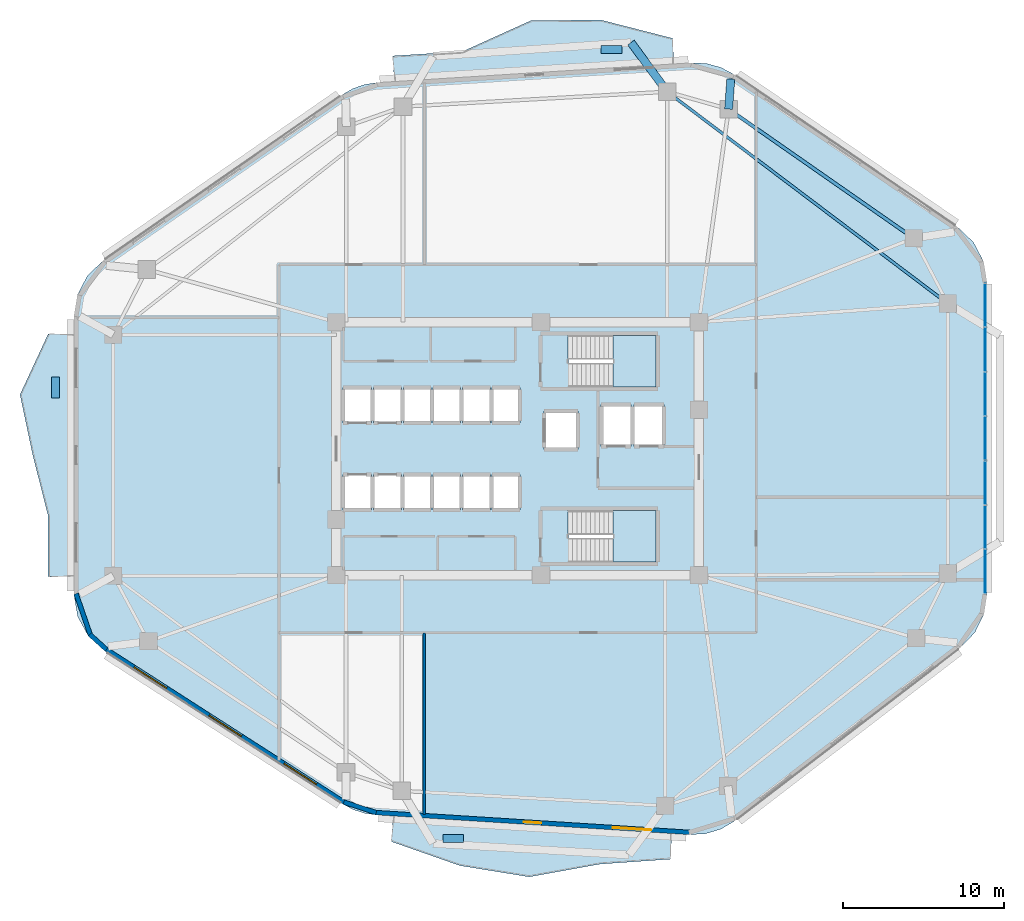
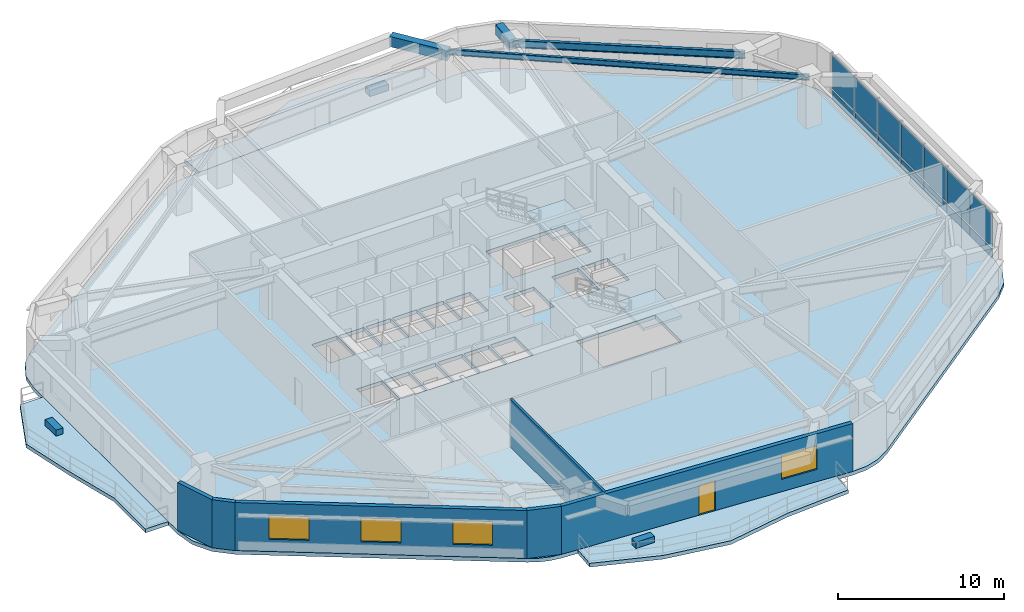
# One storey, part 7 of 13: 17 plates, 6 slabs, 6 walls, 4 beams, 4 windows, 1 door, 5 openings, 3 elements without a shape of their own.
"""IFC4 building model written with IfcOpenShell, lengths in metres."""

import ifcopenshell
import ifcopenshell.guid

model = None  # the IFC model being written
_history = None  # IfcOwnerHistory: only IFC2X3 demands one
_inside = {}  # id of a spatial element -> (the spatial element, [elements in it])
_under = {}  # id of a project, library or spatial element -> (it, [spatial elements below it])
_declared = {}  # id of a project -> (the project, [libraries it declares])
_typed = {}  # id of a type object -> (the type object, [elements of that type])
_made_of = {}  # id of a material, layer set ... -> (it, [elements and type objects made of it])


def new_model(schema):
    """Start an empty IFC model of exactly this schema.

    Asked for "IFC4X3", IfcOpenShell would pick the latest addendum, in which some entities
    have other attributes; the version numbers below select the first issue.
    IFC2X3 requires an IfcOwnerHistory on every rooted entity: one is made here for all.
    """
    global model, _history
    if schema == "IFC4X3":
        model = ifcopenshell.file(schema_version=(4, 3, 0, 0))
    else:
        model = ifcopenshell.file(schema=schema)
    _inside.clear()
    _under.clear()
    _declared.clear()
    _typed.clear()
    _made_of.clear()
    _history = None
    if model.schema == "IFC2X3":
        org = make("IfcOrganization", Name="unknown")
        user = make(
            "IfcPersonAndOrganization",
            ThePerson=make("IfcPerson", FamilyName="unknown"),
            TheOrganization=org,
        )
        app = make(
            "IfcApplication",
            ApplicationDeveloper=org,
            Version="unknown",
            ApplicationFullName="unknown",
            ApplicationIdentifier="unknown",
        )
        _history = make(
            "IfcOwnerHistory",
            OwningUser=user,
            OwningApplication=app,
            ChangeAction="ADDED",
            CreationDate=0,
        )
    return model


def make(cls, **values):
    """One entity of the class cls with the attributes given. An attribute that is None is left unset."""
    return model.create_entity(
        cls, **{name: value for name, value in values.items() if value is not None}
    )


def rooted(cls, **values):
    """An entity with a GlobalId (a new one), such as an element, a storey or a relation."""
    return make(cls, GlobalId=ifcopenshell.guid.new(), OwnerHistory=_history, **values)


def si_unit(unit_type, name, prefix=None):
    """IfcSIUnit, for example si_unit("LENGTHUNIT", "METRE", prefix="MILLI")."""
    return make("IfcSIUnit", UnitType=unit_type, Prefix=prefix, Name=name)


def assignment(units):
    """IfcUnitAssignment: the units of a project."""
    return None if units is None else make("IfcUnitAssignment", Units=units)


def point(xyz):
    """IfcCartesianPoint."""
    return None if xyz is None else make("IfcCartesianPoint", Coordinates=xyz)


def direction(xyz):
    """IfcDirection."""
    return None if xyz is None else make("IfcDirection", DirectionRatios=xyz)


def frame(location, z_axis=None, x_axis=None):
    """IfcAxis2Placement3D, a coordinate frame: its origin and axes. An axis left out is left unset."""
    return make(
        "IfcAxis2Placement3D",
        Location=point(location),
        Axis=direction(z_axis),
        RefDirection=direction(x_axis),
    )


def frame_2d(location, x_axis=None):
    """IfcAxis2Placement2D, a coordinate frame in the plane: its origin and x axis."""
    return make(
        "IfcAxis2Placement2D", Location=point(location), RefDirection=direction(x_axis)
    )


def origin():
    """The frame at (0, 0, 0) with its axes left unset."""
    return frame((0.0, 0.0, 0.0))


def origin_2d():
    """The frame at (0, 0) in the plane with its x axis left unset."""
    return frame_2d((0.0, 0.0))


def place(relative_to, where):
    """IfcLocalPlacement: puts the frame where relative to a parent placement (None: the world)."""
    return make(
        "IfcLocalPlacement", PlacementRelTo=relative_to, RelativePlacement=where
    )


def context(
    kind, dimensions, precision=None, world=None, true_north=None, identifier=None
):
    """IfcGeometricRepresentationContext, for example the 3D "Model" context."""
    return make(
        "IfcGeometricRepresentationContext",
        ContextIdentifier=identifier,
        ContextType=kind,
        CoordinateSpaceDimension=dimensions,
        Precision=precision,
        WorldCoordinateSystem=world,
        TrueNorth=true_north,
    )


def subcontext(parent, identifier, kind, view, scale=None):
    """IfcGeometricRepresentationSubContext, for example "Body" below "Model"."""
    return make(
        "IfcGeometricRepresentationSubContext",
        ContextIdentifier=identifier,
        ContextType=kind,
        ParentContext=parent,
        TargetScale=scale,
        TargetView=view,
    )


def project(units=None, contexts=None):
    """IfcProject with its units and contexts."""
    return rooted(
        "IfcProject",
        Name="project",
        RepresentationContexts=contexts,
        UnitsInContext=assignment(units),
    )


def spatial(cls, under=None, at=None, **own):
    """A site, building, storey or space (cls), placed at a placement, below another one or the project."""
    s = rooted(cls, ObjectPlacement=at, **own)
    if under is not None:
        _under.setdefault(under.id(), (under, []))[1].append(s)
    return s


def polyline(points):
    """IfcPolyline through the points."""
    return make("IfcPolyline", Points=[point(p) for p in points])


def profile(cls, at=None, kind="AREA", **sizes):
    """A parametric profile (cls). Its sizes go by their IFC names, for example OverallWidth=200.0."""
    return make(cls, ProfileType=kind, Position=at, **sizes)


def rectangle(**sizes):
    """IfcRectangleProfileDef."""
    return profile("IfcRectangleProfileDef", **sizes)


def i_section(**sizes):
    """IfcIShapeProfileDef."""
    return profile("IfcIShapeProfileDef", **sizes)


def outline(outer, holes=None, kind="AREA"):
    """IfcArbitraryClosedProfileDef: a profile drawn as a closed curve; with holes, ...WithVoids."""
    if holes is None:
        return make("IfcArbitraryClosedProfileDef", ProfileType=kind, OuterCurve=outer)
    return make(
        "IfcArbitraryProfileDefWithVoids",
        ProfileType=kind,
        OuterCurve=outer,
        InnerCurves=holes,
    )


def extrude(swept, where, along, depth):
    """IfcExtrudedAreaSolid: the profile swept, set in the frame where, extruded along a direction by depth."""
    return make(
        "IfcExtrudedAreaSolid",
        SweptArea=swept,
        Position=where,
        ExtrudedDirection=direction(along),
        Depth=depth,
    )


def shape(context_of_items, identifier, shape_type, items):
    """IfcShapeRepresentation: the items that make up one representation, for example the "Body"."""
    return make(
        "IfcShapeRepresentation",
        ContextOfItems=context_of_items,
        RepresentationIdentifier=identifier,
        RepresentationType=shape_type,
        Items=items,
    )


def material(Name=None, Category=None):
    """IfcMaterial."""
    return make("IfcMaterial", Name=Name, Category=Category)


def layer(
    of_material, thickness, ventilated=None, Name=None, Category=None, Priority=None
):
    """IfcMaterialLayer: one layer of a wall or slab, of a material (None: an air gap)."""
    return make(
        "IfcMaterialLayer",
        Material=of_material,
        LayerThickness=thickness,
        IsVentilated=ventilated,
        Name=Name,
        Category=Category,
        Priority=Priority,
    )


def layer_set(layers, Name=None):
    """IfcMaterialLayerSet."""
    return make("IfcMaterialLayerSet", MaterialLayers=layers, LayerSetName=Name)


def material_profile(
    of_material, cross_section, Name=None, Category=None, Priority=None
):
    """IfcMaterialProfile: a cross section and its material."""
    return make(
        "IfcMaterialProfile",
        Name=Name,
        Material=of_material,
        Profile=cross_section,
        Priority=Priority,
        Category=Category,
    )


def profile_set(profiles, Name=None, composite=None):
    """IfcMaterialProfileSet."""
    return make(
        "IfcMaterialProfileSet",
        Name=Name,
        MaterialProfiles=profiles,
        CompositeProfile=composite,
    )


def made_of(thing, what):
    """Note that an element or type object is made of a material, layer set ...; save() writes the relation."""
    if what is not None:
        _made_of.setdefault(what.id(), (what, []))[1].append(thing)
    return thing


def type_object(cls, material=None, **own):
    """A type object (cls), such as IfcWallType, which elements share."""
    return made_of(rooted(cls, **own), material)


def element(
    cls,
    number,
    at=None,
    inside=None,
    cuts=None,
    type_object=None,
    material=None,
    context=None,
    identifier="Body",
    shape_type=None,
    held_by="IfcProductDefinitionShape",
    body=None,
    shapes=None,
    **own,
):
    """One element of the class cls, such as IfcWall. Its Tag is "e" and its number.

    at: its placement. inside: the storey or other place that contains it. cuts: it is an
    opening in that element (IfcRelVoidsElement). A single representation is given by context,
    identifier, shape_type and body (its items); several are given by shapes. held_by: the class
    of the entity that holds the representations. save() writes the other relations.
    """
    e = rooted(cls, Tag="e%d" % number, ObjectPlacement=at, **own)
    if body is not None:
        shapes = [shape(context, identifier, shape_type, body)]
    if shapes is not None:
        e.Representation = make(held_by, Representations=shapes)
    if inside is not None:
        _inside.setdefault(inside.id(), (inside, []))[1].append(e)
    if cuts is not None:
        rooted(
            "IfcRelVoidsElement", RelatingBuildingElement=cuts, RelatedOpeningElement=e
        )
    if type_object is not None:
        _typed.setdefault(type_object.id(), (type_object, []))[1].append(e)
    return made_of(e, material)


def fill(opening, filler):
    """IfcRelFillsElement: the door or window that sits in an opening."""
    return rooted(
        "IfcRelFillsElement",
        RelatingOpeningElement=opening,
        RelatedBuildingElement=filler,
    )


def aggregate(whole, parts):
    """IfcRelAggregates: a whole, such as a stair, and the parts it consists of."""
    return rooted("IfcRelAggregates", RelatingObject=whole, RelatedObjects=parts)


def save(model, path):
    """Write the relations noted so far, then the file.

    IfcRelAggregates (storeys below a building ...), IfcRelContainedInSpatialStructure (elements
    in a storey), IfcRelDefinesByType, IfcRelAssociatesMaterial and IfcRelDeclares: one each for
    every whole, place, type object, material and project.
    """
    for whole, parts in _under.values():
        aggregate(whole, parts)
    for where, things in _inside.values():
        rooted(
            "IfcRelContainedInSpatialStructure",
            RelatedElements=things,
            RelatingStructure=where,
        )
    for kind, things in _typed.values():
        rooted("IfcRelDefinesByType", RelatedObjects=things, RelatingType=kind)
    for what, things in _made_of.values():
        rooted("IfcRelAssociatesMaterial", RelatedObjects=things, RelatingMaterial=what)
    for by, libraries in _declared.values():
        rooted("IfcRelDeclares", RelatingContext=by, RelatedDefinitions=libraries)
    model.write(path)


model = new_model("IFC4")

# Units and contexts
model_context = context("Model", 3, precision=1e-05, world=origin(), true_north=direction((0.0, 1.0)))
body_context = subcontext(model_context, "Body", "Model", "MODEL_VIEW")
ifc_project = project(units=[si_unit("LENGTHUNIT", "METRE"), si_unit("AREAUNIT", "SQUARE_METRE"), si_unit("VOLUMEUNIT", "CUBIC_METRE"), si_unit("PLANEANGLEUNIT", "RADIAN"), si_unit("MASSUNIT", "GRAM", prefix="KILO")], contexts=[model_context])

# Site, building, storey
site_placement = place(None, origin())
site = spatial("IfcSite", under=ifc_project, at=site_placement, CompositionType="ELEMENT")
building_placement = place(site_placement, origin())
building = spatial("IfcBuilding", under=site, at=building_placement, Name="Zulverin Broadcast Headquarters", CompositionType="ELEMENT")
storey_placement = place(building_placement, frame((0.0, 0.0, 108.60009765625)))
storey = spatial("IfcBuildingStorey", under=building, at=storey_placement, Name="L27", CompositionType="ELEMENT", Elevation=108.60009765625)

# Beams
ifc_material_1 = material(Name="Concrete C40/50", Category="concrete")
ifc_material_profile_1 = material_profile(ifc_material_1, rectangle(XDim=0.5, YDim=0.75, at=origin_2d()), Name="Concrete C40/50", Category="concrete")
ifc_profile_set_1 = profile_set([ifc_material_profile_1], Name="Concrete C40/50")
beam_type_1 = type_object("IfcBeamType", Name="BM-RC-500x750", PredefinedType="BEAM", material=ifc_profile_set_1)
beam_1_placement = place(storey_placement, frame((50.121826171875, 46.325927734375, 3.14990234375), z_axis=(0.073023006252, 0.997330256514, 0.0), x_axis=(-0.997330256514, 0.073023006252, 0.0)))
element("IfcBeam", 1, at=beam_1_placement, inside=storey, type_object=beam_type_1, Name="L28 Plate Overhang Back-Spanned Beam OVR-08", PredefinedType="BEAM", context=body_context, shape_type="SweptSolid", body=[
    extrude(rectangle(XDim=0.5, YDim=0.75, at=origin_2d()), origin(), (0.0, 0.0, 1.0), 1.875732421875),
])
beam_2_placement = place(storey_placement, frame((46.30224609375, 47.4091796875, 3.14990234375), z_axis=(-0.592925064887, 0.805257640404, 0.0), x_axis=(-0.805257640404, -0.592925064887, 0.0)))
element("IfcBeam", 2, at=beam_2_placement, inside=storey, type_object=beam_type_1, Name="L28 Balcony Column-Framed Cantilever BAL_N-1", PredefinedType="BEAM", context=body_context, shape_type="SweptSolid", body=[
    extrude(rectangle(XDim=0.5, YDim=0.75, at=origin_2d()), origin(), (0.0, 0.0, 1.0), 3.800048828125),
])
ifc_material_2 = material(Name="Structural steel S355JR", Category="steel")
ifc_material_profile_2 = material_profile(ifc_material_2, i_section(OverallWidth=0.179443359375, OverallDepth=0.412841796875, WebThickness=0.009521484375, FlangeThickness=0.01611328125, at=origin_2d()), Name="Structural steel S355JR", Category="steel")
ifc_profile_set_2 = profile_set([ifc_material_profile_2], Name="Structural steel S355JR")
beam_type_2 = type_object("IfcBeamType", Name="BM-UB-406", PredefinedType="JOIST", material=ifc_profile_set_2)
beam_3_placement = place(storey_placement, frame((63.75, 34.235107421875, 3.318603515625), z_axis=(-0.798058136838, 0.602580459546, 0.0), x_axis=(-0.602580459546, -0.798058136838, 0.0)))
element("IfcBeam", 3, at=beam_3_placement, inside=storey, type_object=beam_type_2, Name="L27 Chordal Floor Joist J-02", PredefinedType="JOIST", context=body_context, shape_type="SweptSolid", body=[
    extrude(i_section(OverallWidth=0.179443359375, OverallDepth=0.412841796875, WebThickness=0.009521484375, FlangeThickness=0.01611328125, at=origin_2d()), origin(), (0.0, 0.0, 1.0), 21.86279296875),
])
ifc_material_profile_3 = material_profile(ifc_material_2, i_section(OverallWidth=0.2119140625, OverallDepth=0.54443359375, WebThickness=0.0126953125, FlangeThickness=0.021240234375, at=origin_2d()), Name="Structural steel S355JR", Category="steel")
ifc_profile_set_3 = profile_set([ifc_material_profile_3], Name="Structural steel S355JR")
beam_type_3 = type_object("IfcBeamType", Name="BM-UB-533", PredefinedType="SPANDREL", material=ifc_profile_set_3)
beam_4_placement = place(storey_placement, frame((61.630126953125, 38.298583984375, 3.252685546875), z_axis=(-0.820183915206, 0.5720999434, 0.0), x_axis=(-0.5720999434, -0.820183915206, 0.0)))
element("IfcBeam", 4, at=beam_4_placement, inside=storey, type_object=beam_type_3, Name="L27 Perimeter Spandrel Beam SP-07", PredefinedType="SPANDREL", context=body_context, shape_type="SweptSolid", body=[
    extrude(i_section(OverallWidth=0.2119140625, OverallDepth=0.54443359375, WebThickness=0.0126953125, FlangeThickness=0.021240234375, at=origin_2d()), origin(), (0.0, 0.0, 1.0), 14.03125),
])

# Curtain wall, plates
ifc_material_3 = material(Name="Low-zone ribbon unitised curtain wall", Category="aluminium")
curtain_wall_type = type_object("IfcCurtainWallType", Name="CW-TWR-LOW", PredefinedType="USERDEFINED", material=ifc_material_3)
curtain_wall_placement = place(storey_placement, origin())
curtain_wall = element("IfcCurtainWall", 5, at=curtain_wall_placement, inside=storey, type_object=curtain_wall_type, Name="L27 Unitised Curtain Wall CW-L27-E3", ObjectType="UNITISED CURTAIN WALL", PredefinedType="USERDEFINED")
ifc_material_4 = material(Name="Low-E double-glazed pale-silver vision glass", Category="glass")
ifc_layer_1 = layer(ifc_material_4, 0.035888671875, Name="Low-E double-glazed pale-silver vision glass", Category="glass")
ifc_layer_set_1 = layer_set([ifc_layer_1], Name="Low-E double-glazed pale-silver vision glass")
plate_type_1 = type_object("IfcPlateType", Name="CW-PNL-GLZ", PredefinedType="CURTAIN_PANEL", material=ifc_layer_set_1)
plate_1_placement = place(storey_placement, frame((66.080078125, 17.564208984375, 0.910888671875), z_axis=(0.0, 0.0, 1.0), x_axis=(0.0, 1.0, 0.0)))
plate_1 = element("IfcPlate", 6, at=plate_1_placement, type_object=plate_type_1, Name="CW-L27-E3 Vision Panel 00", PredefinedType="CURTAIN_PANEL", context=body_context, shape_type="SweptSolid", body=[
    extrude(rectangle(XDim=2.7216796875, YDim=0.035888671875, at=origin_2d()), origin(), (0.0, 0.0, 1.0), 2.47412109375),
])
plate_2_placement = place(storey_placement, frame((66.080078125, 20.32568359375, 0.910888671875), z_axis=(0.0, 0.0, 1.0), x_axis=(0.0, 1.0, 0.0)))
plate_2 = element("IfcPlate", 7, at=plate_2_placement, type_object=plate_type_1, Name="CW-L27-E3 Vision Panel 01", PredefinedType="CURTAIN_PANEL", context=body_context, shape_type="SweptSolid", body=[
    extrude(rectangle(XDim=2.7216796875, YDim=0.035888671875, at=origin_2d()), origin(), (0.0, 0.0, 1.0), 2.47412109375),
])
plate_3_placement = place(storey_placement, frame((66.080078125, 23.08740234375, 0.910888671875), z_axis=(0.0, 0.0, 1.0), x_axis=(0.0, 1.0, 0.0)))
plate_3 = element("IfcPlate", 8, at=plate_3_placement, type_object=plate_type_1, Name="CW-L27-E3 Vision Panel 02", PredefinedType="CURTAIN_PANEL", context=body_context, shape_type="SweptSolid", body=[
    extrude(rectangle(XDim=2.7216796875, YDim=0.035888671875, at=origin_2d()), origin(), (0.0, 0.0, 1.0), 2.47412109375),
])
plate_4_placement = place(storey_placement, frame((66.080078125, 25.848876953125, 0.910888671875), z_axis=(0.0, 0.0, 1.0), x_axis=(0.0, 1.0, 0.0)))
plate_4 = element("IfcPlate", 9, at=plate_4_placement, type_object=plate_type_1, Name="CW-L27-E3 Vision Panel 03", PredefinedType="CURTAIN_PANEL", context=body_context, shape_type="SweptSolid", body=[
    extrude(rectangle(XDim=2.7216796875, YDim=0.035888671875, at=origin_2d()), origin(), (0.0, 0.0, 1.0), 2.47412109375),
])
plate_5_placement = place(storey_placement, frame((66.080078125, 28.610595703125, 0.910888671875), z_axis=(0.0, 0.0, 1.0), x_axis=(0.0, 1.0, 0.0)))
plate_5 = element("IfcPlate", 10, at=plate_5_placement, type_object=plate_type_1, Name="CW-L27-E3 Vision Panel 04", PredefinedType="CURTAIN_PANEL", context=body_context, shape_type="SweptSolid", body=[
    extrude(rectangle(XDim=2.7216796875, YDim=0.035888671875, at=origin_2d()), origin(), (0.0, 0.0, 1.0), 2.47412109375),
])
plate_6_placement = place(storey_placement, frame((66.080078125, 31.3720703125, 0.910888671875), z_axis=(0.0, 0.0, 1.0), x_axis=(0.0, 1.0, 0.0)))
plate_6 = element("IfcPlate", 11, at=plate_6_placement, type_object=plate_type_1, Name="CW-L27-E3 Vision Panel 05", PredefinedType="CURTAIN_PANEL", context=body_context, shape_type="SweptSolid", body=[
    extrude(rectangle(XDim=2.7216796875, YDim=0.035888671875, at=origin_2d()), origin(), (0.0, 0.0, 1.0), 2.47412109375),
])
plate_7_placement = place(storey_placement, frame((66.080078125, 34.1337890625, 0.910888671875), z_axis=(0.0, 0.0, 1.0), x_axis=(0.0, 1.0, 0.0)))
plate_7 = element("IfcPlate", 12, at=plate_7_placement, type_object=plate_type_1, Name="CW-L27-E3 Vision Panel 06", PredefinedType="CURTAIN_PANEL", context=body_context, shape_type="SweptSolid", body=[
    extrude(rectangle(XDim=2.7216796875, YDim=0.035888671875, at=origin_2d()), origin(), (0.0, 0.0, 1.0), 2.47412109375),
])
ifc_material_5 = material(Name="Insulated brushed pale-aluminium spandrel cassette", Category="aluminium")
ifc_layer_2 = layer(ifc_material_5, 0.050048828125, Name="Insulated brushed pale-aluminium spandrel cassette", Category="aluminium")
ifc_layer_set_2 = layer_set([ifc_layer_2], Name="Insulated brushed pale-aluminium spandrel cassette")
plate_type_2 = type_object("IfcPlateType", Name="CW-PNL-SPN", PredefinedType="CURTAIN_PANEL", material=ifc_layer_set_2)
plate_8_placement = place(storey_placement, frame((66.080078125, 17.564208984375, 0.139892578125), z_axis=(0.0, 0.0, 1.0), x_axis=(0.0, 1.0, 0.0)))
plate_8 = element("IfcPlate", 13, at=plate_8_placement, type_object=plate_type_2, Name="CW-L27-E3 Spandrel Cassette 00", PredefinedType="CURTAIN_PANEL", context=body_context, shape_type="SweptSolid", body=[
    extrude(rectangle(XDim=2.7216796875, YDim=0.050048828125, at=origin_2d()), origin(), (0.0, 0.0, 1.0), 0.64111328125),
])
plate_9_placement = place(storey_placement, frame((66.080078125, 20.32568359375, 0.139892578125), z_axis=(0.0, 0.0, 1.0), x_axis=(0.0, 1.0, 0.0)))
plate_9 = element("IfcPlate", 14, at=plate_9_placement, type_object=plate_type_2, Name="CW-L27-E3 Spandrel Cassette 01", PredefinedType="CURTAIN_PANEL", context=body_context, shape_type="SweptSolid", body=[
    extrude(rectangle(XDim=2.7216796875, YDim=0.050048828125, at=origin_2d()), origin(), (0.0, 0.0, 1.0), 0.64111328125),
])
plate_10_placement = place(storey_placement, frame((66.080078125, 23.08740234375, 0.139892578125), z_axis=(0.0, 0.0, 1.0), x_axis=(0.0, 1.0, 0.0)))
plate_10 = element("IfcPlate", 15, at=plate_10_placement, type_object=plate_type_2, Name="CW-L27-E3 Spandrel Cassette 02", PredefinedType="CURTAIN_PANEL", context=body_context, shape_type="SweptSolid", body=[
    extrude(rectangle(XDim=2.7216796875, YDim=0.050048828125, at=origin_2d()), origin(), (0.0, 0.0, 1.0), 0.64111328125),
])
plate_11_placement = place(storey_placement, frame((66.080078125, 25.848876953125, 0.139892578125), z_axis=(0.0, 0.0, 1.0), x_axis=(0.0, 1.0, 0.0)))
plate_11 = element("IfcPlate", 16, at=plate_11_placement, type_object=plate_type_2, Name="CW-L27-E3 Spandrel Cassette 03", PredefinedType="CURTAIN_PANEL", context=body_context, shape_type="SweptSolid", body=[
    extrude(rectangle(XDim=2.7216796875, YDim=0.050048828125, at=origin_2d()), origin(), (0.0, 0.0, 1.0), 0.64111328125),
])
plate_12_placement = place(storey_placement, frame((66.080078125, 28.610595703125, 0.139892578125), z_axis=(0.0, 0.0, 1.0), x_axis=(0.0, 1.0, 0.0)))
plate_12 = element("IfcPlate", 17, at=plate_12_placement, type_object=plate_type_2, Name="CW-L27-E3 Spandrel Cassette 04", PredefinedType="CURTAIN_PANEL", context=body_context, shape_type="SweptSolid", body=[
    extrude(rectangle(XDim=2.7216796875, YDim=0.050048828125, at=origin_2d()), origin(), (0.0, 0.0, 1.0), 0.64111328125),
])
plate_13_placement = place(storey_placement, frame((66.080078125, 31.3720703125, 0.139892578125), z_axis=(0.0, 0.0, 1.0), x_axis=(0.0, 1.0, 0.0)))
plate_13 = element("IfcPlate", 18, at=plate_13_placement, type_object=plate_type_2, Name="CW-L27-E3 Spandrel Cassette 05", PredefinedType="CURTAIN_PANEL", context=body_context, shape_type="SweptSolid", body=[
    extrude(rectangle(XDim=2.7216796875, YDim=0.050048828125, at=origin_2d()), origin(), (0.0, 0.0, 1.0), 0.64111328125),
])
plate_14_placement = place(storey_placement, frame((66.080078125, 34.1337890625, 0.139892578125), z_axis=(0.0, 0.0, 1.0), x_axis=(0.0, 1.0, 0.0)))
plate_14 = element("IfcPlate", 19, at=plate_14_placement, type_object=plate_type_2, Name="CW-L27-E3 Spandrel Cassette 06", PredefinedType="CURTAIN_PANEL", context=body_context, shape_type="SweptSolid", body=[
    extrude(rectangle(XDim=2.7216796875, YDim=0.050048828125, at=origin_2d()), origin(), (0.0, 0.0, 1.0), 0.64111328125),
])
aggregate(curtain_wall, [plate_8, plate_1, plate_9, plate_2, plate_10, plate_3, plate_11, plate_4, plate_12, plate_5, plate_13, plate_6, plate_14, plate_7])

# Plates
ifc_material_6 = material(Name="Precast concrete C45/55", Category="concrete")
ifc_layer_3 = layer(ifc_material_6, 0.449951171875, Name="Precast concrete C45/55", Category="concrete")
ifc_layer_set_3 = layer_set([ifc_layer_3], Name="Precast concrete C45/55")
plate_type_3 = type_object("IfcPlateType", Name="PT-01_PRECAST_GFRC_TREE_PLANTER", PredefinedType="USERDEFINED", material=ifc_layer_set_3)
for number, where, z_axis, x_axis, name in (
    (20, (42.825927734375, 50.04638671875, -0.0048828125), (0.0, 0.0, 1.0), (1.0, 0.0, 0.0), "L27 Precast GFRC Tree Planter BAL_N"),
    (21, (8.25, 29.022216796875, -0.0048828125), (0.0, 0.0, 1.0), (0.0, 1.0, 0.0), "L27 Precast GFRC Tree Planter BAL_W"),
    (22, (32.993408203125, 0.973876953125, -0.0048828125), (0.0, 0.0, 1.0), (1.0, 0.0, 0.0), "L27 Precast GFRC Tree Planter BAL_S"),
):
    element("IfcPlate", number, at=place(storey_placement, frame(where, z_axis=z_axis, x_axis=x_axis)), inside=storey, type_object=plate_type_3, Name=name, ObjectType="PLANTER", PredefinedType="USERDEFINED", context=body_context, shape_type="SweptSolid", body=[
        extrude(rectangle(XDim=1.300048828125, YDim=0.5, at=origin_2d()), origin(), (0.0, 0.0, 1.0), 0.449951171875),
    ])

# Slabs
ifc_layer_4 = layer(ifc_material_1, 0.27490234375, Name="Concrete C40/50", Category="concrete")
ifc_layer_set_4 = layer_set([ifc_layer_4], Name="Concrete C40/50")
slab_type_1 = type_object("IfcSlabType", Name="SLB-BAL-275", PredefinedType="FLOOR", material=ifc_layer_set_4)
slab_1_placement = place(storey_placement, frame((0.0, 0.0, -0.275146484375)))
element("IfcSlab", 23, at=slab_1_placement, inside=storey, type_object=slab_type_1, Name="L27 Cantilevered Planted Balcony Slab BAL_N", PredefinedType="FLOOR", context=body_context, shape_type="SweptSolid", body=[
    extrude(outline(polyline([(29.330078125, 48.04296875), (46.72509765625, 49.139892578125), (46.62451171875, 50.73681640625), (42.18701171875, 51.871337890625), (37.8232421875, 51.8349609375), (33.578369140625, 49.9140625), (29.2294921875, 49.639892578125), (29.330078125, 48.04296875)])), origin(), (0.0, 0.0, 1.0), 0.275146484375),
])
slab_2_placement = place(storey_placement, frame((0.0, 0.0, -0.275146484375)))
element("IfcSlab", 24, at=slab_2_placement, inside=storey, type_object=slab_type_1, Name="L27 Cantilevered Planted Balcony Slab BAL_W", PredefinedType="FLOOR", context=body_context, shape_type="SweptSolid", body=[
    extrude(outline(polyline([(9.39990234375, 17.24365234375), (9.39990234375, 32.344482421875), (7.800048828125, 32.344482421875), (6.0458984375, 28.569091796875), (6.84326171875, 24.7939453125), (7.800048828125, 21.018798828125), (7.800048828125, 17.24365234375), (9.39990234375, 17.24365234375)])), origin(), (0.0, 0.0, 1.0), 0.275146484375),
])
slab_3_placement = place(storey_placement, frame((0.0, 0.0, -0.275146484375)))
element("IfcSlab", 25, at=slab_3_placement, inside=storey, type_object=slab_type_1, Name="L27 Cantilevered Planted Balcony Slab BAL_S", PredefinedType="FLOOR", context=body_context, shape_type="SweptSolid", body=[
    extrude(outline(polyline([(46.5927734375, 1.268310546875), (29.250244140625, 2.3623046875), (29.149658203125, 0.765380859375), (33.408203125, -0.728271484375), (37.717041015625, -1.42822265625), (42.119873046875, -0.6337890625), (46.4921875, -0.328369140625), (46.5927734375, 1.268310546875)])), origin(), (0.0, 0.0, 1.0), 0.275146484375),
])

# Stair, slab
stair_type = type_object("IfcStairType", Name="ST-CORE-1500", PredefinedType="HALF_TURN_STAIR", material=ifc_material_1)
stair_1_placement = place(storey_placement, origin())
stair_1 = element("IfcStair", 26, at=stair_1_placement, inside=storey, type_object=stair_type, Name="L27 Core Exit Stair ST-1", PredefinedType="HALF_TURN_STAIR")
ifc_layer_5 = layer(ifc_material_1, 0.199951171875, Name="Concrete C40/50", Category="concrete")
ifc_layer_set_5 = layer_set([ifc_layer_5], Name="Concrete C40/50")
slab_type_2 = type_object("IfcSlabType", Name="SLB-ST-LND200", PredefinedType="LANDING", material=ifc_layer_set_5)
slab_4_placement = place(storey_placement, frame((0.0, 0.0, 1.699951171875)))
slab_4 = element("IfcSlab", 27, at=slab_4_placement, type_object=slab_type_2, Name="ST-1 landing 1", PredefinedType="LANDING", context=body_context, shape_type="SweptSolid", body=[
    extrude(outline(polyline([(42.929931640625, 29.050048828125), (45.60009765625, 29.050048828125), (45.60009765625, 32.25), (42.929931640625, 32.25), (42.929931640625, 29.050048828125)])), origin(), (0.0, 0.0, 1.0), 0.199951171875),
])
aggregate(stair_1, [slab_4])

stair_2_placement = place(storey_placement, origin())
stair_2 = element("IfcStair", 28, at=stair_2_placement, inside=storey, type_object=stair_type, Name="L27 Core Exit Stair ST-2", PredefinedType="HALF_TURN_STAIR")
slab_5_placement = place(storey_placement, frame((0.0, 0.0, 1.699951171875)))
slab_5 = element("IfcSlab", 29, at=slab_5_placement, type_object=slab_type_2, Name="ST-2 landing 1", PredefinedType="LANDING", context=body_context, shape_type="SweptSolid", body=[
    extrude(outline(polyline([(42.929931640625, 18.14990234375), (45.60009765625, 18.14990234375), (45.60009765625, 21.35009765625), (42.929931640625, 21.35009765625), (42.929931640625, 18.14990234375)])), origin(), (0.0, 0.0, 1.0), 0.199951171875),
])
aggregate(stair_2, [slab_5])

# Slab
ifc_layer_6 = layer(ifc_material_1, 0.27490234375, Name="Concrete C40/50", Category="concrete")
ifc_layer_set_6 = layer_set([ifc_layer_6], Name="Concrete C40/50")
slab_type_3 = type_object("IfcSlabType", Name="SLB-TWR-275", PredefinedType="FLOOR", material=ifc_layer_set_6)
slab_6_placement = place(storey_placement, frame((0.0, 0.0, -0.275146484375)))
element("IfcSlab", 30, at=slab_6_placement, inside=storey, type_object=slab_type_3, Name="L27 Main Structural Floor Slab", PredefinedType="FLOOR", context=body_context, shape_type="SweptSolid", body=[
    extrude(outline(polyline([(26.146484375, 3.089599609375), (26.774658203125, 2.75732421875), (27.44970703125, 2.535888671875), (28.152587890625, 2.431396484375), (47.690673828125, 1.19921875), (48.69189453125, 1.256103515625), (49.6513671875, 1.548828125), (50.51416015625, 2.060546875), (64.55908203125, 12.85302734375), (65.44140625, 13.77587890625), (66.005859375, 14.92138671875), (66.199951171875, 16.183349609375), (66.199951171875, 35.514404296875), (65.981689453125, 36.85107421875), (65.349365234375, 38.048583984375), (64.368896484375, 38.982666015625), (50.456298828125, 48.485595703125), (49.639404296875, 48.920166015625), (48.747314453125, 49.165283203125), (47.822998046875, 49.208984375), (28.232421875, 47.9736328125), (27.481201171875, 47.857421875), (26.76318359375, 47.607666015625), (26.102294921875, 47.232666015625), (11.20556640625, 36.89501953125), (10.238037109375, 35.9619140625), (9.614990234375, 34.77099609375), (9.39990234375, 33.4443359375), (9.39990234375, 16.1435546875), (9.631103515625, 14.769775390625), (10.298583984375, 13.547119140625), (11.32958984375, 12.610107421875), (26.146484375, 3.089599609375)]), holes=[polyline([(40.155029296875, 30.75), (40.130126953125, 30.75), (40.130126953125, 32.25), (45.60009765625, 32.25), (45.60009765625, 29.050048828125), (40.155029296875, 29.050048828125), (40.155029296875, 30.75)]), polyline([(40.155029296875, 19.85009765625), (40.130126953125, 19.85009765625), (40.130126953125, 21.35009765625), (45.60009765625, 21.35009765625), (45.60009765625, 18.14990234375), (40.155029296875, 18.14990234375), (40.155029296875, 19.85009765625)]), polyline([(26.14990234375, 26.800048828125), (27.89990234375, 26.800048828125), (27.89990234375, 29.0), (26.14990234375, 29.0), (26.14990234375, 26.800048828125)]), polyline([(28.02001953125, 26.800048828125), (29.77001953125, 26.800048828125), (29.77001953125, 29.0), (28.02001953125, 29.0), (28.02001953125, 26.800048828125)]), polyline([(26.14990234375, 21.39990234375), (27.89990234375, 21.39990234375), (27.89990234375, 23.60009765625), (26.14990234375, 23.60009765625), (26.14990234375, 21.39990234375)]), polyline([(28.02001953125, 21.39990234375), (29.77001953125, 21.39990234375), (29.77001953125, 23.60009765625), (28.02001953125, 23.60009765625), (28.02001953125, 21.39990234375)]), polyline([(29.89990234375, 21.39990234375), (31.6201171875, 21.39990234375), (31.6201171875, 23.60009765625), (29.89990234375, 23.60009765625), (29.89990234375, 21.39990234375)]), polyline([(31.739990234375, 21.39990234375), (33.4599609375, 21.39990234375), (33.4599609375, 23.60009765625), (31.739990234375, 23.60009765625), (31.739990234375, 21.39990234375)]), polyline([(33.580078125, 21.39990234375), (35.300048828125, 21.39990234375), (35.300048828125, 23.60009765625), (33.580078125, 23.60009765625), (33.580078125, 21.39990234375)]), polyline([(35.419921875, 21.39990234375), (37.139892578125, 21.39990234375), (37.139892578125, 23.60009765625), (35.419921875, 23.60009765625), (35.419921875, 21.39990234375)]), polyline([(29.89990234375, 26.800048828125), (31.6201171875, 26.800048828125), (31.6201171875, 29.0), (29.89990234375, 29.0), (29.89990234375, 26.800048828125)]), polyline([(31.739990234375, 26.800048828125), (33.4599609375, 26.800048828125), (33.4599609375, 29.0), (31.739990234375, 29.0), (31.739990234375, 26.800048828125)]), polyline([(33.580078125, 26.800048828125), (35.300048828125, 26.800048828125), (35.300048828125, 29.0), (33.580078125, 29.0), (33.580078125, 26.800048828125)]), polyline([(35.419921875, 26.800048828125), (37.139892578125, 26.800048828125), (37.139892578125, 29.0), (35.419921875, 29.0), (35.419921875, 26.800048828125)]), polyline([(42.199951171875, 25.35009765625), (44.050048828125, 25.35009765625), (44.050048828125, 27.949951171875), (42.199951171875, 27.949951171875), (42.199951171875, 25.35009765625)]), polyline([(44.25, 25.35009765625), (46.10009765625, 25.35009765625), (46.10009765625, 27.949951171875), (44.25, 27.949951171875), (44.25, 25.35009765625)]), polyline([(38.64990234375, 25.14990234375), (40.75, 25.14990234375), (40.75, 27.550048828125), (38.64990234375, 27.550048828125), (38.64990234375, 25.14990234375)])]), origin(), (0.0, 0.0, 1.0), 0.275146484375),
])

# Wall, openings, door, window
ifc_material_7 = material(Name="Insulated pale-metal clad concrete spandrel C40/50", Category="concrete")
ifc_layer_7 = layer(ifc_material_7, 0.280029296875, Name="Insulated pale-metal clad concrete spandrel C40/50", Category="concrete")
ifc_layer_set_7 = layer_set([ifc_layer_7], Name="Insulated pale-metal clad concrete spandrel C40/50")
wall_type_1 = type_object("IfcWallType", Name="WL-EXT-280", PredefinedType="STANDARD", material=ifc_layer_set_7)
wall_1_placement = place(storey_placement, frame((28.161376953125, 2.571044921875, 0.0), z_axis=(0.0, 0.0, 1.0), x_axis=(0.998017288298, -0.06294038654, 0.0)))
wall_1 = element("IfcWall", 31, at=wall_1_placement, inside=storey, type_object=wall_type_1, Name="L27 Pale-Metal Clad Spandrel Wall 1", PredefinedType="STANDARD", context=body_context, shape_type="SweptSolid", body=[
    extrude(rectangle(XDim=19.576904296875, YDim=0.280029296875, at=frame_2d((9.78857421875, 0.0))), origin(), (0.0, 0.0, 1.0), 3.52490234375),
])
opening_1_placement = place(wall_1_placement, frame((9.238525390625, 0.0, 0.0)))
opening_1 = element("IfcOpeningElement", 32, at=opening_1_placement, cuts=wall_1, Name="Opening D-L27-TR1", PredefinedType="OPENING", context=body_context, shape_type="SweptSolid", body=[
    extrude(rectangle(XDim=1.10009765625, YDim=2.199951171875, at=frame_2d((0.550048828125, 1.10009765625))), frame((0.0, 0.14990234375, 0.0), z_axis=(0.0, -1.0, 0.0), x_axis=(1.0, 0.0, 0.0)), (0.0, 0.0, 1.0), 0.300048828125),
])
opening_2_placement = place(wall_1_placement, frame((14.78076171875, 0.0, 0.89990234375)))
opening_2 = element("IfcOpeningElement", 33, at=opening_2_placement, cuts=wall_1, Name="Opening W-L27-E11", PredefinedType="OPENING", context=body_context, shape_type="SweptSolid", body=[
    extrude(rectangle(XDim=2.39990234375, YDim=1.75, at=frame_2d((1.199951171875, 0.875))), frame((0.0, 0.14990234375, 0.0), z_axis=(0.0, -1.0, 0.0), x_axis=(1.0, 0.0, 0.0)), (0.0, 0.0, 1.0), 0.300048828125),
])
ifc_material_8 = material(Name="Thermally broken aluminium glazed", Category="aluminium")
door_type = type_object("IfcDoorType", Name="DR-TERR-1100", OperationType="SINGLE_SWING_RIGHT", PredefinedType="DOOR", material=ifc_material_8)
door_placement = place(opening_1_placement, origin())
door = element("IfcDoor", 34, at=door_placement, inside=storey, type_object=door_type, Name="L27 Planted Terrace Glazed Access Door 1", OperationType="SINGLE_SWING_RIGHT", OverallHeight=2.199951171875, OverallWidth=1.10009765625, PredefinedType="DOOR", context=body_context, shape_type="SweptSolid", body=[
    extrude(rectangle(XDim=1.10009765625, YDim=2.199951171875, at=frame_2d((0.550048828125, 1.10009765625))), frame((0.0, 0.02490234375, 0.0), z_axis=(0.0, -1.0, 0.0), x_axis=(1.0, 0.0, 0.0)), (0.0, 0.0, 1.0), 0.050048828125),
])
fill(opening_1, door)
ifc_material_9 = material(Name="Pale anodized aluminium frame with solar-control low-E double glazing", Category="aluminium")
window_type = type_object("IfcWindowType", Name="WIN-RIB-2400", PartitioningType="SINGLE_PANEL", PredefinedType="WINDOW", material=ifc_material_9)
window_1_placement = place(opening_2_placement, origin())
window_1 = element("IfcWindow", 35, at=window_1_placement, inside=storey, type_object=window_type, Name="L27 Ribbon Glazing Window 1 1", OverallHeight=1.75, OverallWidth=2.39990234375, PartitioningType="SINGLE_PANEL", PredefinedType="WINDOW", context=body_context, shape_type="SweptSolid", body=[
    extrude(rectangle(XDim=2.39990234375, YDim=1.75, at=frame_2d((1.199951171875, 0.875))), frame((0.0, 0.030029296875, 0.0), z_axis=(0.0, -1.0, 0.0), x_axis=(1.0, 0.0, 0.0)), (0.0, 0.0, 1.0), 0.06005859375),
])
fill(opening_2, window_1)

# Wall, openings, windows
wall_2_placement = place(storey_placement, frame((11.4052734375, 12.727783203125, 0.0), z_axis=(0.0, 0.0, 1.0), x_axis=(0.841304564637, -0.540561402175, 0.0)))
wall_2 = element("IfcWall", 36, at=wall_2_placement, inside=storey, type_object=wall_type_1, Name="L27 Pale-Metal Clad Spandrel Wall 8", PredefinedType="STANDARD", context=body_context, shape_type="SweptSolid", body=[
    extrude(rectangle(XDim=17.61181640625, YDim=0.280029296875, at=frame_2d((8.805908203125, 0.0))), origin(), (0.0, 0.0, 1.0), 3.52490234375),
])
opening_3_placement = place(wall_2_placement, frame((2.068603515625, 0.0, 0.89990234375)))
opening_3 = element("IfcOpeningElement", 37, at=opening_3_placement, cuts=wall_2, Name="Opening W-L27-E81", PredefinedType="OPENING", context=body_context, shape_type="SweptSolid", body=[
    extrude(rectangle(XDim=2.39990234375, YDim=1.75, at=frame_2d((1.199951171875, 0.875))), frame((0.0, 0.14990234375, 0.0), z_axis=(0.0, -1.0, 0.0), x_axis=(1.0, 0.0, 0.0)), (0.0, 0.0, 1.0), 0.300048828125),
])
opening_4_placement = place(wall_2_placement, frame((7.60595703125, 0.0, 0.89990234375)))
opening_4 = element("IfcOpeningElement", 38, at=opening_4_placement, cuts=wall_2, Name="Opening W-L27-E82", PredefinedType="OPENING", context=body_context, shape_type="SweptSolid", body=[
    extrude(rectangle(XDim=2.39990234375, YDim=1.75, at=frame_2d((1.199951171875, 0.875))), frame((0.0, 0.14990234375, 0.0), z_axis=(0.0, -1.0, 0.0), x_axis=(1.0, 0.0, 0.0)), (0.0, 0.0, 1.0), 0.300048828125),
])
opening_5_placement = place(wall_2_placement, frame((13.143310546875, 0.0, 0.89990234375)))
opening_5 = element("IfcOpeningElement", 39, at=opening_5_placement, cuts=wall_2, Name="Opening W-L27-E83", PredefinedType="OPENING", context=body_context, shape_type="SweptSolid", body=[
    extrude(rectangle(XDim=2.39990234375, YDim=1.75, at=frame_2d((1.199951171875, 0.875))), frame((0.0, 0.14990234375, 0.0), z_axis=(0.0, -1.0, 0.0), x_axis=(1.0, 0.0, 0.0)), (0.0, 0.0, 1.0), 0.300048828125),
])
window_2_placement = place(opening_3_placement, origin())
window_2 = element("IfcWindow", 40, at=window_2_placement, inside=storey, type_object=window_type, Name="L27 Ribbon Glazing Window 8 1", OverallHeight=1.75, OverallWidth=2.39990234375, PartitioningType="SINGLE_PANEL", PredefinedType="WINDOW", context=body_context, shape_type="SweptSolid", body=[
    extrude(rectangle(XDim=2.39990234375, YDim=1.75, at=frame_2d((1.199951171875, 0.875))), frame((0.0, 0.030029296875, 0.0), z_axis=(0.0, -1.0, 0.0), x_axis=(1.0, 0.0, 0.0)), (0.0, 0.0, 1.0), 0.06005859375),
])
fill(opening_3, window_2)
window_3_placement = place(opening_4_placement, origin())
window_3 = element("IfcWindow", 41, at=window_3_placement, inside=storey, type_object=window_type, Name="L27 Ribbon Glazing Window 8 2", OverallHeight=1.75, OverallWidth=2.39990234375, PartitioningType="SINGLE_PANEL", PredefinedType="WINDOW", context=body_context, shape_type="SweptSolid", body=[
    extrude(rectangle(XDim=2.39990234375, YDim=1.75, at=frame_2d((1.199951171875, 0.875))), frame((0.0, 0.030029296875, 0.0), z_axis=(0.0, -1.0, 0.0), x_axis=(1.0, 0.0, 0.0)), (0.0, 0.0, 1.0), 0.06005859375),
])
fill(opening_4, window_3)
window_4_placement = place(opening_5_placement, origin())
window_4 = element("IfcWindow", 42, at=window_4_placement, inside=storey, type_object=window_type, Name="L27 Ribbon Glazing Window 8 3", OverallHeight=1.75, OverallWidth=2.39990234375, PartitioningType="SINGLE_PANEL", PredefinedType="WINDOW", context=body_context, shape_type="SweptSolid", body=[
    extrude(rectangle(XDim=2.39990234375, YDim=1.75, at=frame_2d((1.199951171875, 0.875))), frame((0.0, 0.030029296875, 0.0), z_axis=(0.0, -1.0, 0.0), x_axis=(1.0, 0.0, 0.0)), (0.0, 0.0, 1.0), 0.06005859375),
])
fill(opening_5, window_4)

# Walls
wall_3_placement = place(storey_placement, frame((9.5322265625, 16.189453125, 0.0), z_axis=(0.0, 0.0, 1.0), x_axis=(0.32708309668, -0.944995580871, 0.0)))
element("IfcWall", 43, at=wall_3_placement, inside=storey, type_object=wall_type_1, Name="L27 Wind-Shaped Corner Spandrel Wall 7-1", PredefinedType="STANDARD", context=body_context, shape_type="SweptSolid", body=[
    extrude(rectangle(XDim=2.74755859375, YDim=0.280029296875, at=frame_2d((1.373779296875, 0.0))), origin(), (0.0, 0.0, 1.0), 3.52490234375),
])
wall_4_placement = place(storey_placement, frame((10.392822265625, 13.650634765625, 0.0), z_axis=(0.0, 0.0, 1.0), x_axis=(0.74003521851, -0.672568119498, 0.0)))
element("IfcWall", 44, at=wall_4_placement, inside=storey, type_object=wall_type_1, Name="L27 Wind-Shaped Corner Spandrel Wall 7-2", PredefinedType="STANDARD", context=body_context, shape_type="SweptSolid", body=[
    extrude(rectangle(XDim=1.39306640625, YDim=0.280029296875, at=frame_2d((0.696533203125, 0.0))), origin(), (0.0, 0.0, 1.0), 3.52490234375),
])
wall_5_placement = place(storey_placement, frame((26.18994140625, 3.22265625, 0.0), z_axis=(0.0, 0.0, 1.0), x_axis=(0.95016442175, -0.311749212734, 0.0)))
element("IfcWall", 45, at=wall_5_placement, inside=storey, type_object=wall_type_1, Name="L27 Wind-Shaped Corner Spandrel Wall 8-1", PredefinedType="STANDARD", context=body_context, shape_type="SweptSolid", body=[
    extrude(rectangle(XDim=2.111328125, YDim=0.280029296875, at=frame_2d((1.0556640625, 0.0))), origin(), (0.0, 0.0, 1.0), 3.52490234375),
])
ifc_material_10 = material(Name="Fire-rated gypsum stud partition", Category="gypsum")
ifc_layer_8 = layer(ifc_material_10, 0.14990234375, Name="Fire-rated gypsum stud partition", Category="gypsum")
ifc_layer_set_8 = layer_set([ifc_layer_8], Name="Fire-rated gypsum stud partition")
wall_type_2 = type_object("IfcWallType", Name="WL-PART-150", PredefinedType="PARTITIONING", material=ifc_layer_set_8)
wall_6_placement = place(storey_placement, frame((31.199951171875, 2.444091796875, 0.0), z_axis=(0.0, 0.0, 1.0), x_axis=(0.0, 1.0, 0.0)))
element("IfcWall", 46, at=wall_6_placement, inside=storey, type_object=wall_type_2, Name="L27 Room Partition Wall RP-02", PredefinedType="PARTITIONING", context=body_context, shape_type="SweptSolid", body=[
    extrude(rectangle(XDim=11.305908203125, YDim=0.14990234375, at=frame_2d((5.65283203125, 0.0))), origin(), (0.0, 0.0, 1.0), 3.52490234375),
])

save(model, "model.ifc")
